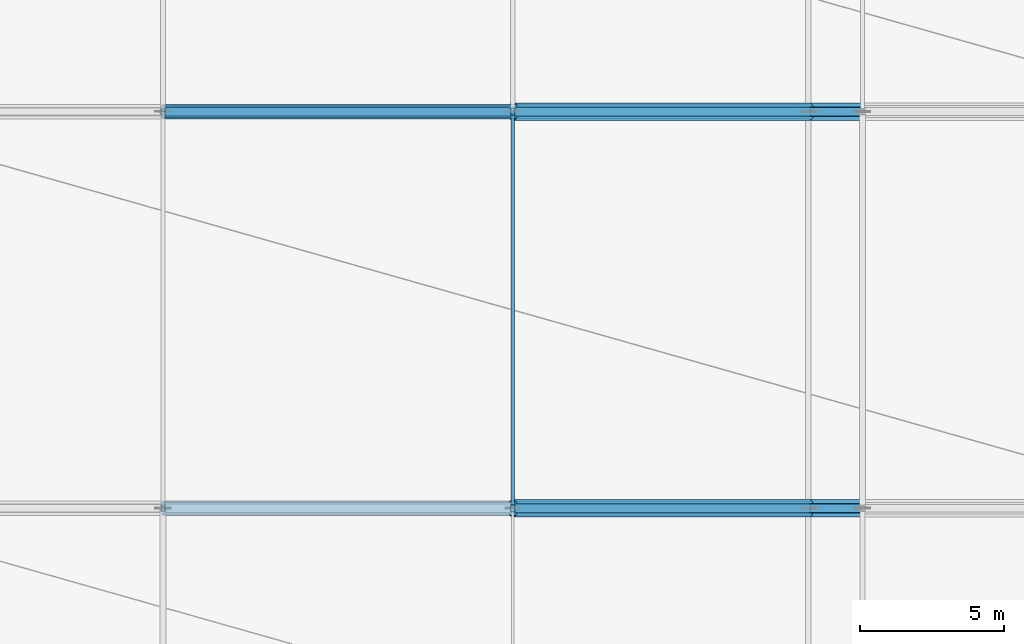
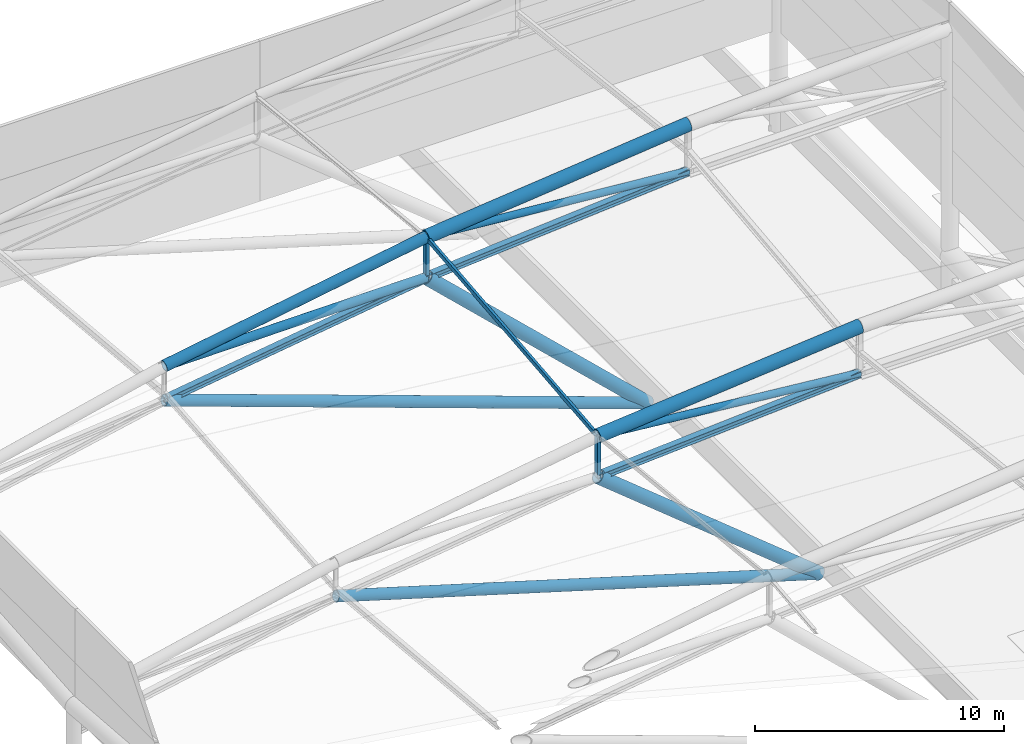
# One storey, part 48 of 113: 16 members.
"""IFC4 building model written with IfcOpenShell, lengths in metres."""

from ifc_helpers import new_model, si_unit, direction, frame, origin, origin_2d, place, context, subcontext, project, spatial, hollow_rectangle, hollow_circle, i_section, extrude, material, material_profile, profile_set, type_object, element, save


model = new_model("IFC4")

# Units and contexts
model_context = context("Model", 3, precision=1e-05, world=origin(), true_north=direction((0.0, 1.0)))
body_context = subcontext(model_context, "Body", "Model", "MODEL_VIEW")
ifc_project = project(units=[si_unit("LENGTHUNIT", "METRE"), si_unit("AREAUNIT", "SQUARE_METRE"), si_unit("VOLUMEUNIT", "CUBIC_METRE"), si_unit("PLANEANGLEUNIT", "RADIAN"), si_unit("MASSUNIT", "GRAM", prefix="KILO")], contexts=[model_context])

# Site, building, storey
site_placement = place(None, origin())
site = spatial("IfcSite", under=ifc_project, at=site_placement, CompositionType="ELEMENT")
building_placement = place(site_placement, origin())
building = spatial("IfcBuilding", under=site, at=building_placement, Name="Linyun Crest Stadium", CompositionType="ELEMENT")
storey_placement = place(building_placement, frame((0.0, 0.0, 26.39990234375)))
storey = spatial("IfcBuildingStorey", under=building, at=storey_placement, Name="L06", CompositionType="ELEMENT", Elevation=26.39990234375)

# Members
ifc_material_1 = material(Name="Steel Q355C", Category="steel")
ifc_material_profile_1 = material_profile(ifc_material_1, hollow_rectangle(XDim=0.1201171875, YDim=0.219970703125, WallThickness=0.008056640625, at=origin_2d()), Name="RHS 220x120x8")
ifc_profile_set_1 = profile_set([ifc_material_profile_1], Name="Steel Q355C")
member_type_1 = type_object("IfcMemberType", Name="AR03", PredefinedType="USERDEFINED", material=ifc_profile_set_1)
member_1_placement = place(storey_placement, frame((59.75, 15.875, 10.09912109375), z_axis=(0.0, 0.994834033314, 0.101514758336), x_axis=(-1.0, 0.0, 0.0)))
element("IfcMember", 1, at=member_1_placement, inside=storey, type_object=member_type_1, Name="Art Nouveau canopy arch rib AR03 V2 356", ObjectType="ARCH RIB", PredefinedType="USERDEFINED", context=body_context, shape_type="SweptSolid", body=[
    extrude(hollow_rectangle(XDim=0.1201171875, YDim=0.219970703125, WallThickness=0.008056640625, at=origin_2d()), origin(), (0.0, 0.0, 1.0), 13.8212890625),
])
ifc_material_2 = material(Name="Steel Q420C", Category="steel")
ifc_material_profile_2 = material_profile(ifc_material_2, hollow_circle(Radius=0.25390625, WallThickness=0.02490234375, at=origin_2d()), Name="CHS 508x25")
ifc_profile_set_2 = profile_set([ifc_material_profile_2], Name="Steel Q420C")
member_type_2 = type_object("IfcMemberType", Name="TC01", PredefinedType="CHORD", material=ifc_profile_set_2)
member_2_placement = place(storey_placement, frame((70.0, 15.875, -0.21484375), z_axis=(-0.957680635582, 0.0, 0.287832938058), x_axis=(0.0, -1.0, 0.0)))
element("IfcMember", 2, at=member_2_placement, inside=storey, type_object=member_type_2, Name="Roof arch forward V-strut TC01 V2 294", PredefinedType="CHORD", context=body_context, shape_type="SweptSolid", body=[
    extrude(hollow_circle(Radius=0.25390625, WallThickness=0.02490234375, at=origin_2d()), origin(), (0.0, 0.0, 1.0), 23.36376953125),
])
member_3_placement = place(storey_placement, frame((59.75, 29.625, 11.502197265625), z_axis=(-0.985667924462, 0.0, -0.168697192291), x_axis=(0.0, -1.0, 0.0)))
element("IfcMember", 3, at=member_3_placement, inside=storey, type_object=member_type_2, Name="Roof truss top chord TC01 V2 304", PredefinedType="CHORD", context=body_context, shape_type="SweptSolid", body=[
    extrude(hollow_circle(Radius=0.25390625, WallThickness=0.02490234375, at=origin_2d()), origin(), (0.0, 0.0, 1.0), 12.30126953125),
])
member_4_placement = place(storey_placement, frame((70.0, 29.625, -0.21484375), z_axis=(-0.941915713226, 0.0, 0.335849354888), x_axis=(0.0, -1.0, 0.0)))
element("IfcMember", 4, at=member_4_placement, inside=storey, type_object=member_type_2, Name="Roof arch forward V-strut TC01 V2 313", PredefinedType="CHORD", context=body_context, shape_type="SweptSolid", body=[
    extrude(hollow_circle(Radius=0.25390625, WallThickness=0.02490234375, at=origin_2d()), origin(), (0.0, 0.0, 1.0), 23.7548828125),
])
ifc_material_3 = material(Name="Steel Q420C", Category="steel")
ifc_material_profile_3 = material_profile(ifc_material_3, hollow_circle(Radius=0.304931640625, WallThickness=0.030029296875, at=origin_2d()), Name="CHS 610x30")
ifc_profile_set_3 = profile_set([ifc_material_profile_3], Name="Steel Q420C")
member_type_3 = type_object("IfcMemberType", Name="TC02", PredefinedType="CHORD", material=ifc_profile_set_3)
member_5_placement = place(storey_placement, frame((71.875, 15.875, 11.22509765625), z_axis=(-0.995715823804, 0.0, -0.092466200455), x_axis=(0.0, -1.0, 0.0)))
element("IfcMember", 5, at=member_5_placement, inside=storey, type_object=member_type_3, Name="Roof truss top chord TC02 V2 281", PredefinedType="CHORD", context=body_context, shape_type="SweptSolid", body=[
    extrude(hollow_circle(Radius=0.304931640625, WallThickness=0.030029296875, at=origin_2d()), origin(), (0.0, 0.0, 1.0), 12.17724609375),
])
member_6_placement = place(storey_placement, frame((70.0, 15.875, -0.21484375), z_axis=(-0.775752151556, 0.0, 0.631037716271), x_axis=(0.0, -1.0, 0.0)))
element("IfcMember", 6, at=member_6_placement, inside=storey, type_object=member_type_3, Name="Roof arch inclined support strut TC02 V2 293", PredefinedType="CHORD", context=body_context, shape_type="SweptSolid", body=[
    extrude(hollow_circle(Radius=0.304931640625, WallThickness=0.030029296875, at=origin_2d()), origin(), (0.0, 0.0, 1.0), 13.212890625),
])
member_7_placement = place(storey_placement, frame((71.875, 29.625, 12.776123046875), z_axis=(-0.99452584315, 0.0, -0.104490895811), x_axis=(0.0, -1.0, 0.0)))
element("IfcMember", 7, at=member_7_placement, inside=storey, type_object=member_type_3, Name="Roof truss top chord TC02 V2 300", PredefinedType="CHORD", context=body_context, shape_type="SweptSolid", body=[
    extrude(hollow_circle(Radius=0.304931640625, WallThickness=0.030029296875, at=origin_2d()), origin(), (0.0, 0.0, 1.0), 12.191650390625),
])
member_8_placement = place(storey_placement, frame((70.0, 29.625, -0.21484375), z_axis=(-0.724876997796, 0.0, 0.688878318766), x_axis=(0.0, -1.0, 0.0)))
element("IfcMember", 8, at=member_8_placement, inside=storey, type_object=member_type_3, Name="Roof arch inclined support strut TC02 V2 312", PredefinedType="CHORD", context=body_context, shape_type="SweptSolid", body=[
    extrude(hollow_circle(Radius=0.304931640625, WallThickness=0.030029296875, at=origin_2d()), origin(), (0.0, 0.0, 1.0), 14.140380859375),
])
ifc_material_4 = material(Name="Steel Q355C", Category="steel")
ifc_material_profile_4 = material_profile(ifc_material_4, i_section(OverallWidth=0.300048828125, OverallDepth=0.300048828125, WebThickness=0.010009765625, FlangeThickness=0.014892578125, at=origin_2d()), Name="HW 300x300")
ifc_profile_set_4 = profile_set([ifc_material_profile_4], Name="Steel Q355C")
member_type_4 = type_object("IfcMemberType", Name="TC03", PredefinedType="CHORD", material=ifc_profile_set_4)
member_9_placement = place(storey_placement, frame((71.875, 15.875, 8.93701171875), z_axis=(-0.997754293797, 0.0, -0.066980364359), x_axis=(0.0, -1.0, 0.0)))
element("IfcMember", 9, at=member_9_placement, inside=storey, type_object=member_type_4, Name="Roof truss bottom chord TC03 V2 282", PredefinedType="CHORD", context=body_context, shape_type="SweptSolid", body=[
    extrude(i_section(OverallWidth=0.300048828125, OverallDepth=0.300048828125, WebThickness=0.010009765625, FlangeThickness=0.014892578125, at=origin_2d()), origin(), (0.0, 0.0, 1.0), 12.15234375),
])
member_10_placement = place(storey_placement, frame((71.875, 29.625, 10.488037109375), z_axis=(-0.996867904873, 0.0, -0.079084639683), x_axis=(0.0, -1.0, 0.0)))
element("IfcMember", 10, at=member_10_placement, inside=storey, type_object=member_type_4, Name="Roof truss bottom chord TC03 V2 301", PredefinedType="CHORD", context=body_context, shape_type="SweptSolid", body=[
    extrude(i_section(OverallWidth=0.300048828125, OverallDepth=0.300048828125, WebThickness=0.010009765625, FlangeThickness=0.014892578125, at=origin_2d()), origin(), (0.0, 0.0, 1.0), 12.1630859375),
])
member_11_placement = place(storey_placement, frame((59.75, 29.625, 9.526123046875), z_axis=(-0.989594539625, 0.0, -0.143884144866), x_axis=(0.0, -1.0, 0.0)))
element("IfcMember", 11, at=member_11_placement, inside=storey, type_object=member_type_4, Name="Roof truss bottom chord TC03 V2 305", PredefinedType="CHORD", context=body_context, shape_type="SweptSolid", body=[
    extrude(i_section(OverallWidth=0.300048828125, OverallDepth=0.300048828125, WebThickness=0.010009765625, FlangeThickness=0.014892578125, at=origin_2d()), origin(), (0.0, 0.0, 1.0), 12.25244140625),
])
ifc_material_5 = material(Name="Steel Q355C", Category="steel")
ifc_material_profile_5 = material_profile(ifc_material_5, hollow_circle(Radius=0.16259765625, WallThickness=0.01611328125, at=origin_2d()), Name="CHS 325x16")
ifc_profile_set_5 = profile_set([ifc_material_profile_5], Name="Steel Q355C")
member_type_5 = type_object("IfcMemberType", Name="TD02", PredefinedType="BRACE", material=ifc_profile_set_5)
member_12_placement = place(storey_placement, frame((71.875, 15.875, 8.93701171875), z_axis=(-0.995438360676, 0.0, 0.095406866076), x_axis=(0.0, -1.0, 0.0)))
element("IfcMember", 12, at=member_12_placement, inside=storey, type_object=member_type_5, Name="Roof truss diagonal TD02 V2 283", PredefinedType="BRACE", context=body_context, shape_type="SweptSolid", body=[
    extrude(hollow_circle(Radius=0.16259765625, WallThickness=0.01611328125, at=origin_2d()), origin(), (0.0, 0.0, 1.0), 12.1806640625),
])
member_13_placement = place(storey_placement, frame((71.875, 29.625, 10.488037109375), z_axis=(-0.996520249302, 0.0, 0.083351021174), x_axis=(0.0, -1.0, 0.0)))
element("IfcMember", 13, at=member_13_placement, inside=storey, type_object=member_type_5, Name="Roof truss diagonal TD02 V2 302", PredefinedType="BRACE", context=body_context, shape_type="SweptSolid", body=[
    extrude(hollow_circle(Radius=0.16259765625, WallThickness=0.01611328125, at=origin_2d()), origin(), (0.0, 0.0, 1.0), 12.167236328125),
])
ifc_material_6 = material(Name="Steel Q420C", Category="steel")
ifc_material_profile_6 = material_profile(ifc_material_6, hollow_circle(Radius=0.202880859375, WallThickness=0.02001953125, at=origin_2d()), Name="CHS 406x20")
ifc_profile_set_6 = profile_set([ifc_material_profile_6], Name="Steel Q420C")
member_type_6 = type_object("IfcMemberType", Name="TD03", PredefinedType="BRACE", material=ifc_profile_set_6)
member_14_placement = place(storey_placement, frame((59.75, 29.625, 9.526123046875), z_axis=(-0.999966586889, 0.0, -0.008174662417), x_axis=(0.0, -1.0, 0.0)))
element("IfcMember", 14, at=member_14_placement, inside=storey, type_object=member_type_6, Name="Roof truss diagonal TD03 V2 306", PredefinedType="BRACE", context=body_context, shape_type="SweptSolid", body=[
    extrude(hollow_circle(Radius=0.202880859375, WallThickness=0.02001953125, at=origin_2d()), origin(), (0.0, 0.0, 1.0), 12.12548828125),
])
ifc_material_7 = material(Name="Steel Q355C", Category="steel")
ifc_material_profile_7 = material_profile(ifc_material_7, hollow_rectangle(XDim=0.14990234375, YDim=0.25, WallThickness=0.010009765625, at=origin_2d()), Name="RHS 250x150x10")
ifc_profile_set_7 = profile_set([ifc_material_profile_7], Name="Steel Q355C")
member_type_7 = type_object("IfcMemberType", Name="TV03", PredefinedType="STRUT", material=ifc_profile_set_7)
for number, where, z_axis, x_axis, name in (
    (15, (59.75, 15.875, 8.123046875), (0.0, 0.0, 1.0), (1.0, 0.0, 0.0), "Roof vertical strut TV03 V2 288"),
    (16, (59.75, 29.625, 9.526123046875), (0.0, 0.0, 1.0), (1.0, 0.0, 0.0), "Roof vertical strut TV03 V2 307"),
):
    element("IfcMember", number, at=place(storey_placement, frame(where, z_axis=z_axis, x_axis=x_axis)), inside=storey, type_object=member_type_7, Name=name, PredefinedType="STRUT", context=body_context, shape_type="SweptSolid", body=[
        extrude(hollow_rectangle(XDim=0.14990234375, YDim=0.25, WallThickness=0.010009765625, at=origin_2d()), origin(), (0.0, 0.0, 1.0), 1.97607421875),
    ])

save(model, "model.ifc")
